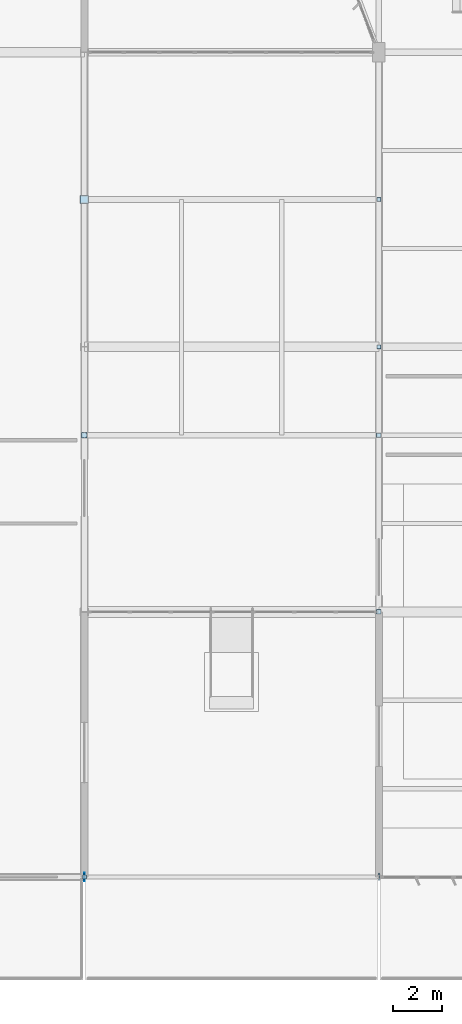
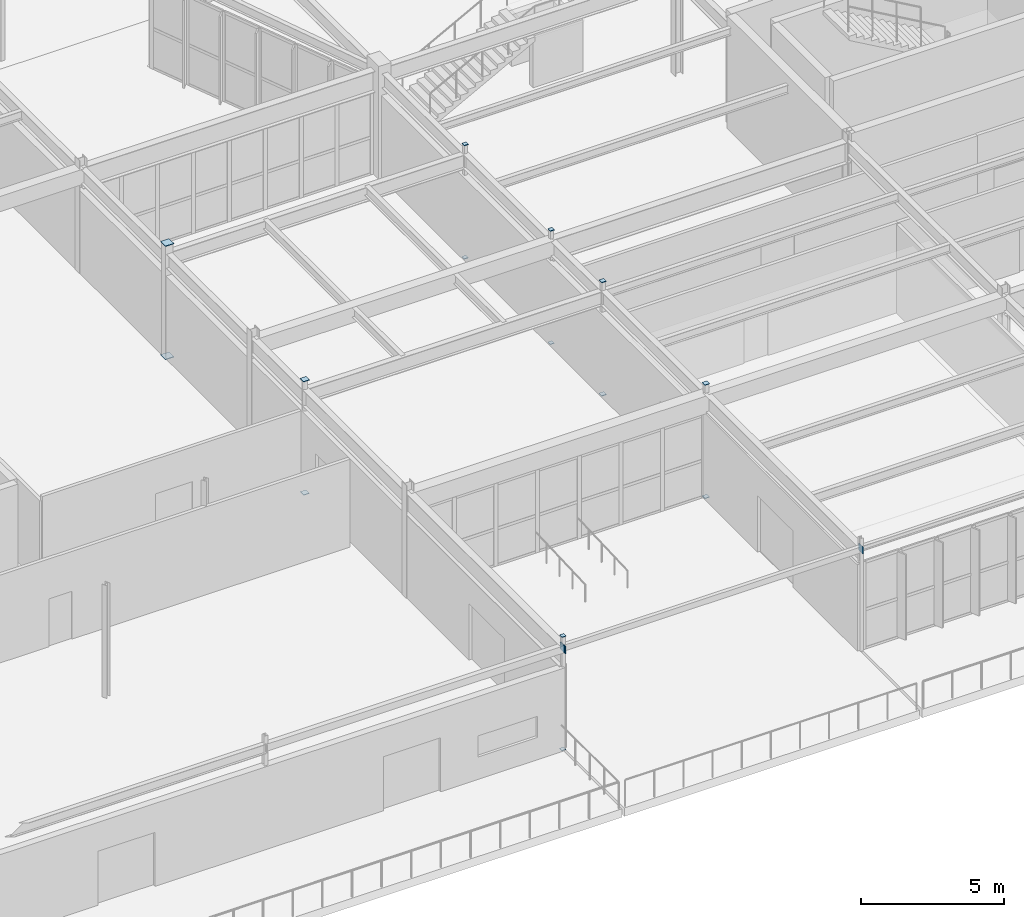
# One storey, part 145 of 199: 17 plates.
"""IFC4 building model written with IfcOpenShell, lengths in metres."""

from ifc_helpers import new_model, si_unit, direction, frame, origin, origin_2d, place, context, subcontext, project, spatial, rectangle, extrude, material, layer, layer_set, type_object, element, save


model = new_model("IFC4")

# Units and contexts
model_context = context("Model", 3, precision=1e-05, world=origin(), true_north=direction((0.0, 1.0)))
body_context = subcontext(model_context, "Body", "Model", "MODEL_VIEW")
ifc_project = project(units=[si_unit("LENGTHUNIT", "METRE"), si_unit("AREAUNIT", "SQUARE_METRE"), si_unit("VOLUMEUNIT", "CUBIC_METRE"), si_unit("PLANEANGLEUNIT", "RADIAN"), si_unit("MASSUNIT", "GRAM", prefix="KILO")], contexts=[model_context])

# Site, building, storey
site_placement = place(None, origin())
site = spatial("IfcSite", under=ifc_project, at=site_placement, CompositionType="ELEMENT")
building_placement = place(site_placement, origin())
building = spatial("IfcBuilding", under=site, at=building_placement, Name="Tarnwether General Hospital", CompositionType="ELEMENT")
storey_placement = place(building_placement, origin())
storey = spatial("IfcBuildingStorey", under=building, at=storey_placement, Name="L00", CompositionType="ELEMENT", Elevation=0.0)

# Plates
ifc_material = material(Name="Steel Grade 350 (350 MPa)", Category="steel")
ifc_layer = layer(ifc_material, 0.02490234375)
ifc_layer_set = layer_set([ifc_layer], Name="Steel Grade 350 (350 MPa)")
plate_type = type_object("IfcPlateType", Name="PT-GUS2", PredefinedType="USERDEFINED", material=ifc_layer_set)
for number, where, z_axis, x_axis, name in (
    (1, (132.0, 0.0, -0.02490234375), (0.0, 0.0, 1.0), (1.0, 0.0, 0.0), "Hollow Section Welded End Cap Plate 0223"),
    (2, (132.0, 0.0, 4.800048828125), (0.0, 0.0, 1.0), (1.0, 0.0, 0.0), "Hollow Section Welded End Cap Plate 0224"),
):
    element("IfcPlate", number, at=place(storey_placement, frame(where, z_axis=z_axis, x_axis=x_axis)), inside=storey, type_object=plate_type, Name=name, ObjectType="GUSSET", PredefinedType="USERDEFINED", context=body_context, shape_type="SweptSolid", body=[
        extrude(rectangle(XDim=0.1650390625, YDim=0.1650390625, at=origin_2d()), origin(), (0.0, 0.0, 1.0), 0.02490234375),
    ])
for number, where, z_axis, x_axis, name in (
    (3, (144.0, 10.800048828125, -0.02490234375), (0.0, 0.0, 1.0), (1.0, 0.0, 0.0), "Hollow Section Welded End Cap Plate 0269"),
    (4, (144.0, 10.800048828125, 4.800048828125), (0.0, 0.0, 1.0), (1.0, 0.0, 0.0), "Hollow Section Welded End Cap Plate 0270"),
):
    element("IfcPlate", number, at=place(storey_placement, frame(where, z_axis=z_axis, x_axis=x_axis)), inside=storey, type_object=plate_type, Name=name, ObjectType="GUSSET", PredefinedType="USERDEFINED", context=body_context, shape_type="SweptSolid", body=[
        extrude(rectangle(XDim=0.18994140625, YDim=0.18994140625, at=origin_2d()), origin(), (0.0, 0.0, 1.0), 0.02490234375),
    ])
for number, where, z_axis, x_axis, name in (
    (5, (144.0, 21.60009765625, -0.02490234375), (0.0, 0.0, 1.0), (1.0, 0.0, 0.0), "Hollow Section Welded End Cap Plate 0275"),
    (6, (144.0, 21.60009765625, 4.800048828125), (0.0, 0.0, 1.0), (1.0, 0.0, 0.0), "Hollow Section Welded End Cap Plate 0276"),
):
    element("IfcPlate", number, at=place(storey_placement, frame(where, z_axis=z_axis, x_axis=x_axis)), inside=storey, type_object=plate_type, Name=name, ObjectType="GUSSET", PredefinedType="USERDEFINED", context=body_context, shape_type="SweptSolid", body=[
        extrude(rectangle(XDim=0.1650390625, YDim=0.1650390625, at=origin_2d()), origin(), (0.0, 0.0, 1.0), 0.02490234375),
    ])
for number, where, z_axis, x_axis, name in (
    (7, (132.0, 18.0, -0.02490234375), (0.0, 0.0, 1.0), (1.0, 0.0, 0.0), "Hollow Section Welded End Cap Plate 0749"),
    (8, (132.0, 18.0, 4.800048828125), (0.0, 0.0, 1.0), (1.0, 0.0, 0.0), "Hollow Section Welded End Cap Plate 0750"),
):
    element("IfcPlate", number, at=place(storey_placement, frame(where, z_axis=z_axis, x_axis=x_axis)), inside=storey, type_object=plate_type, Name=name, ObjectType="GUSSET", PredefinedType="USERDEFINED", context=body_context, shape_type="SweptSolid", body=[
        extrude(rectangle(XDim=0.23388671875, YDim=0.23388671875, at=origin_2d()), origin(), (0.0, 0.0, 1.0), 0.02490234375),
    ])
for number, where, z_axis, x_axis, name in (
    (9, (132.0, 27.60009765625, -0.02490234375), (0.0, 0.0, 1.0), (1.0, 0.0, 0.0), "Hollow Section Welded End Cap Plate 0755"),
    (10, (132.0, 27.60009765625, 4.800048828125), (0.0, 0.0, 1.0), (1.0, 0.0, 0.0), "Hollow Section Welded End Cap Plate 0756"),
):
    element("IfcPlate", number, at=place(storey_placement, frame(where, z_axis=z_axis, x_axis=x_axis)), inside=storey, type_object=plate_type, Name=name, ObjectType="GUSSET", PredefinedType="USERDEFINED", context=body_context, shape_type="SweptSolid", body=[
        extrude(rectangle(XDim=0.340087890625, YDim=0.340087890625, at=origin_2d()), origin(), (0.0, 0.0, 1.0), 0.02490234375),
    ])
for number, where, z_axis, x_axis, name in (
    (11, (144.0, 18.0, -0.02490234375), (0.0, 0.0, 1.0), (1.0, 0.0, 0.0), "Hollow Section Welded End Cap Plate 0765"),
    (12, (144.0, 18.0, 4.800048828125), (0.0, 0.0, 1.0), (1.0, 0.0, 0.0), "Hollow Section Welded End Cap Plate 0766"),
):
    element("IfcPlate", number, at=place(storey_placement, frame(where, z_axis=z_axis, x_axis=x_axis)), inside=storey, type_object=plate_type, Name=name, ObjectType="GUSSET", PredefinedType="USERDEFINED", context=body_context, shape_type="SweptSolid", body=[
        extrude(rectangle(XDim=0.18994140625, YDim=0.18994140625, at=origin_2d()), origin(), (0.0, 0.0, 1.0), 0.02490234375),
    ])
for number, where, z_axis, x_axis, name in (
    (13, (144.0, 27.60009765625, -0.02490234375), (0.0, 0.0, 1.0), (1.0, 0.0, 0.0), "Hollow Section Welded End Cap Plate 0771"),
    (14, (144.0, 27.60009765625, 4.800048828125), (0.0, 0.0, 1.0), (1.0, 0.0, 0.0), "Hollow Section Welded End Cap Plate 0772"),
):
    element("IfcPlate", number, at=place(storey_placement, frame(where, z_axis=z_axis, x_axis=x_axis)), inside=storey, type_object=plate_type, Name=name, ObjectType="GUSSET", PredefinedType="USERDEFINED", context=body_context, shape_type="SweptSolid", body=[
        extrude(rectangle(XDim=0.1650390625, YDim=0.1650390625, at=origin_2d()), origin(), (0.0, 0.0, 1.0), 0.02490234375),
    ])
plate_placement = place(storey_placement, frame((132.012451171875, 0.0, 4.125), z_axis=(0.0, 0.0, 1.0), x_axis=(1.0, 0.0, 0.0)))
element("IfcPlate", 15, at=plate_placement, inside=storey, type_object=plate_type, Name="Hollow Section Welded End Cap Plate 0886", ObjectType="GUSSET", PredefinedType="USERDEFINED", context=body_context, shape_type="SweptSolid", body=[
    extrude(rectangle(XDim=0.02490234375, YDim=0.340087890625, at=origin_2d()), origin(), (0.0, 0.0, 1.0), 0.340087890625),
])
for number, where, z_axis, x_axis, name in (
    (16, (131.987548828125, 0.0, 4.175048828125), (0.0, 0.0, 1.0), (1.0, 0.0, 0.0), "Hollow Section Welded End Cap Plate 0887"),
    (17, (144.012451171875, 0.0, 4.175048828125), (0.0, 0.0, 1.0), (1.0, 0.0, 0.0), "Hollow Section Welded End Cap Plate 0888"),
):
    element("IfcPlate", number, at=place(storey_placement, frame(where, z_axis=z_axis, x_axis=x_axis)), inside=storey, type_object=plate_type, Name=name, ObjectType="GUSSET", PredefinedType="USERDEFINED", context=body_context, shape_type="SweptSolid", body=[
        extrude(rectangle(XDim=0.02490234375, YDim=0.2900390625, at=origin_2d()), origin(), (0.0, 0.0, 1.0), 0.2900390625),
    ])

save(model, "model.ifc")
